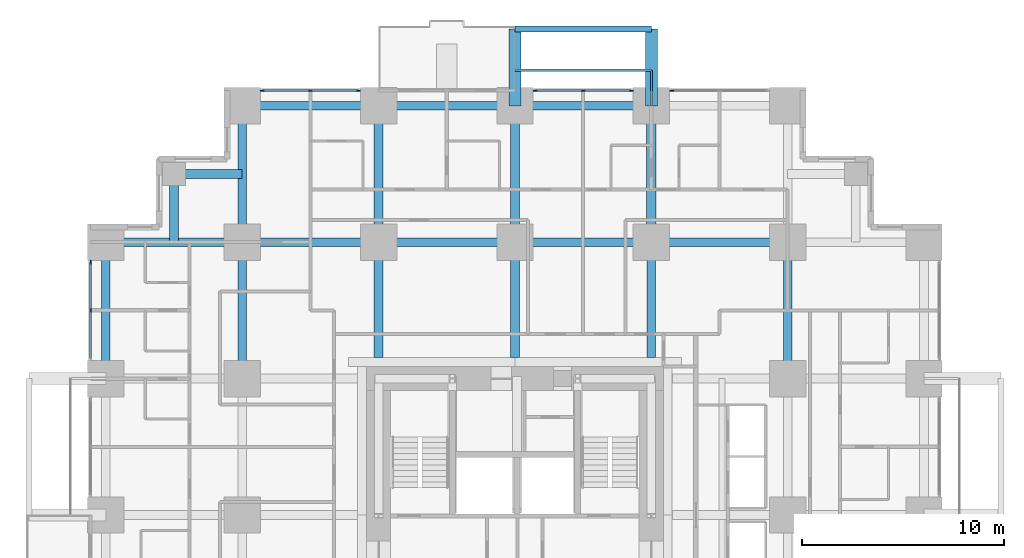
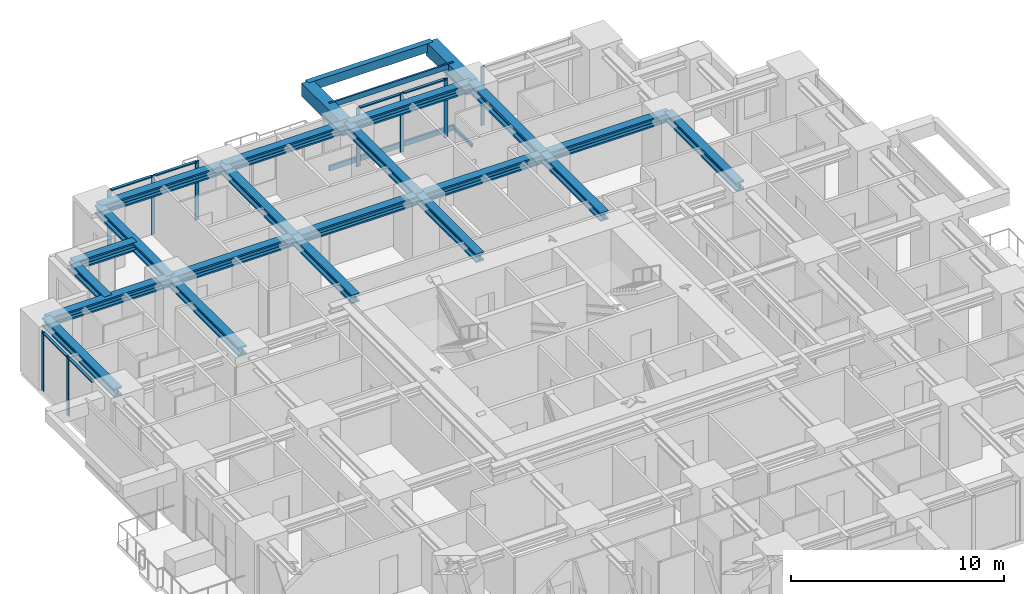
# One storey, part 5 of 14: 23 beams, 18 members, 4 elements without a shape of their own.
"""IFC4 building model written with IfcOpenShell, lengths in metres."""

import ifcopenshell
import ifcopenshell.guid

model = None  # the IFC model being written
_history = None  # IfcOwnerHistory: only IFC2X3 demands one
_inside = {}  # id of a spatial element -> (the spatial element, [elements in it])
_under = {}  # id of a project, library or spatial element -> (it, [spatial elements below it])
_declared = {}  # id of a project -> (the project, [libraries it declares])
_typed = {}  # id of a type object -> (the type object, [elements of that type])
_made_of = {}  # id of a material, layer set ... -> (it, [elements and type objects made of it])


def new_model(schema):
    """Start an empty IFC model of exactly this schema.

    Asked for "IFC4X3", IfcOpenShell would pick the latest addendum, in which some entities
    have other attributes; the version numbers below select the first issue.
    IFC2X3 requires an IfcOwnerHistory on every rooted entity: one is made here for all.
    """
    global model, _history
    if schema == "IFC4X3":
        model = ifcopenshell.file(schema_version=(4, 3, 0, 0))
    else:
        model = ifcopenshell.file(schema=schema)
    _inside.clear()
    _under.clear()
    _declared.clear()
    _typed.clear()
    _made_of.clear()
    _history = None
    if model.schema == "IFC2X3":
        org = make("IfcOrganization", Name="unknown")
        user = make(
            "IfcPersonAndOrganization",
            ThePerson=make("IfcPerson", FamilyName="unknown"),
            TheOrganization=org,
        )
        app = make(
            "IfcApplication",
            ApplicationDeveloper=org,
            Version="unknown",
            ApplicationFullName="unknown",
            ApplicationIdentifier="unknown",
        )
        _history = make(
            "IfcOwnerHistory",
            OwningUser=user,
            OwningApplication=app,
            ChangeAction="ADDED",
            CreationDate=0,
        )
    return model


def make(cls, **values):
    """One entity of the class cls with the attributes given. An attribute that is None is left unset."""
    return model.create_entity(
        cls, **{name: value for name, value in values.items() if value is not None}
    )


def rooted(cls, **values):
    """An entity with a GlobalId (a new one), such as an element, a storey or a relation."""
    return make(cls, GlobalId=ifcopenshell.guid.new(), OwnerHistory=_history, **values)


def si_unit(unit_type, name, prefix=None):
    """IfcSIUnit, for example si_unit("LENGTHUNIT", "METRE", prefix="MILLI")."""
    return make("IfcSIUnit", UnitType=unit_type, Prefix=prefix, Name=name)


def assignment(units):
    """IfcUnitAssignment: the units of a project."""
    return None if units is None else make("IfcUnitAssignment", Units=units)


def point(xyz):
    """IfcCartesianPoint."""
    return None if xyz is None else make("IfcCartesianPoint", Coordinates=xyz)


def direction(xyz):
    """IfcDirection."""
    return None if xyz is None else make("IfcDirection", DirectionRatios=xyz)


def frame(location, z_axis=None, x_axis=None):
    """IfcAxis2Placement3D, a coordinate frame: its origin and axes. An axis left out is left unset."""
    return make(
        "IfcAxis2Placement3D",
        Location=point(location),
        Axis=direction(z_axis),
        RefDirection=direction(x_axis),
    )


def frame_2d(location, x_axis=None):
    """IfcAxis2Placement2D, a coordinate frame in the plane: its origin and x axis."""
    return make(
        "IfcAxis2Placement2D", Location=point(location), RefDirection=direction(x_axis)
    )


def origin():
    """The frame at (0, 0, 0) with its axes left unset."""
    return frame((0.0, 0.0, 0.0))


def origin_2d():
    """The frame at (0, 0) in the plane with its x axis left unset."""
    return frame_2d((0.0, 0.0))


def place(relative_to, where):
    """IfcLocalPlacement: puts the frame where relative to a parent placement (None: the world)."""
    return make(
        "IfcLocalPlacement", PlacementRelTo=relative_to, RelativePlacement=where
    )


def context(
    kind, dimensions, precision=None, world=None, true_north=None, identifier=None
):
    """IfcGeometricRepresentationContext, for example the 3D "Model" context."""
    return make(
        "IfcGeometricRepresentationContext",
        ContextIdentifier=identifier,
        ContextType=kind,
        CoordinateSpaceDimension=dimensions,
        Precision=precision,
        WorldCoordinateSystem=world,
        TrueNorth=true_north,
    )


def subcontext(parent, identifier, kind, view, scale=None):
    """IfcGeometricRepresentationSubContext, for example "Body" below "Model"."""
    return make(
        "IfcGeometricRepresentationSubContext",
        ContextIdentifier=identifier,
        ContextType=kind,
        ParentContext=parent,
        TargetScale=scale,
        TargetView=view,
    )


def project(units=None, contexts=None):
    """IfcProject with its units and contexts."""
    return rooted(
        "IfcProject",
        Name="project",
        RepresentationContexts=contexts,
        UnitsInContext=assignment(units),
    )


def spatial(cls, under=None, at=None, **own):
    """A site, building, storey or space (cls), placed at a placement, below another one or the project."""
    s = rooted(cls, ObjectPlacement=at, **own)
    if under is not None:
        _under.setdefault(under.id(), (under, []))[1].append(s)
    return s


def profile(cls, at=None, kind="AREA", **sizes):
    """A parametric profile (cls). Its sizes go by their IFC names, for example OverallWidth=200.0."""
    return make(cls, ProfileType=kind, Position=at, **sizes)


def rectangle(**sizes):
    """IfcRectangleProfileDef."""
    return profile("IfcRectangleProfileDef", **sizes)


def hollow_rectangle(**sizes):
    """IfcRectangleHollowProfileDef."""
    return profile("IfcRectangleHollowProfileDef", **sizes)


def i_section(**sizes):
    """IfcIShapeProfileDef."""
    return profile("IfcIShapeProfileDef", **sizes)


def extrude(swept, where, along, depth):
    """IfcExtrudedAreaSolid: the profile swept, set in the frame where, extruded along a direction by depth."""
    return make(
        "IfcExtrudedAreaSolid",
        SweptArea=swept,
        Position=where,
        ExtrudedDirection=direction(along),
        Depth=depth,
    )


def shape(context_of_items, identifier, shape_type, items):
    """IfcShapeRepresentation: the items that make up one representation, for example the "Body"."""
    return make(
        "IfcShapeRepresentation",
        ContextOfItems=context_of_items,
        RepresentationIdentifier=identifier,
        RepresentationType=shape_type,
        Items=items,
    )


def material(Name=None, Category=None):
    """IfcMaterial."""
    return make("IfcMaterial", Name=Name, Category=Category)


def material_profile(
    of_material, cross_section, Name=None, Category=None, Priority=None
):
    """IfcMaterialProfile: a cross section and its material."""
    return make(
        "IfcMaterialProfile",
        Name=Name,
        Material=of_material,
        Profile=cross_section,
        Priority=Priority,
        Category=Category,
    )


def profile_set(profiles, Name=None, composite=None):
    """IfcMaterialProfileSet."""
    return make(
        "IfcMaterialProfileSet",
        Name=Name,
        MaterialProfiles=profiles,
        CompositeProfile=composite,
    )


def made_of(thing, what):
    """Note that an element or type object is made of a material, layer set ...; save() writes the relation."""
    if what is not None:
        _made_of.setdefault(what.id(), (what, []))[1].append(thing)
    return thing


def type_object(cls, material=None, **own):
    """A type object (cls), such as IfcWallType, which elements share."""
    return made_of(rooted(cls, **own), material)


def element(
    cls,
    number,
    at=None,
    inside=None,
    cuts=None,
    type_object=None,
    material=None,
    context=None,
    identifier="Body",
    shape_type=None,
    held_by="IfcProductDefinitionShape",
    body=None,
    shapes=None,
    **own,
):
    """One element of the class cls, such as IfcWall. Its Tag is "e" and its number.

    at: its placement. inside: the storey or other place that contains it. cuts: it is an
    opening in that element (IfcRelVoidsElement). A single representation is given by context,
    identifier, shape_type and body (its items); several are given by shapes. held_by: the class
    of the entity that holds the representations. save() writes the other relations.
    """
    e = rooted(cls, Tag="e%d" % number, ObjectPlacement=at, **own)
    if body is not None:
        shapes = [shape(context, identifier, shape_type, body)]
    if shapes is not None:
        e.Representation = make(held_by, Representations=shapes)
    if inside is not None:
        _inside.setdefault(inside.id(), (inside, []))[1].append(e)
    if cuts is not None:
        rooted(
            "IfcRelVoidsElement", RelatingBuildingElement=cuts, RelatedOpeningElement=e
        )
    if type_object is not None:
        _typed.setdefault(type_object.id(), (type_object, []))[1].append(e)
    return made_of(e, material)


def aggregate(whole, parts):
    """IfcRelAggregates: a whole, such as a stair, and the parts it consists of."""
    return rooted("IfcRelAggregates", RelatingObject=whole, RelatedObjects=parts)


def save(model, path):
    """Write the relations noted so far, then the file.

    IfcRelAggregates (storeys below a building ...), IfcRelContainedInSpatialStructure (elements
    in a storey), IfcRelDefinesByType, IfcRelAssociatesMaterial and IfcRelDeclares: one each for
    every whole, place, type object, material and project.
    """
    for whole, parts in _under.values():
        aggregate(whole, parts)
    for where, things in _inside.values():
        rooted(
            "IfcRelContainedInSpatialStructure",
            RelatedElements=things,
            RelatingStructure=where,
        )
    for kind, things in _typed.values():
        rooted("IfcRelDefinesByType", RelatedObjects=things, RelatingType=kind)
    for what, things in _made_of.values():
        rooted("IfcRelAssociatesMaterial", RelatedObjects=things, RelatingMaterial=what)
    for by, libraries in _declared.values():
        rooted("IfcRelDeclares", RelatingContext=by, RelatedDefinitions=libraries)
    model.write(path)


model = new_model("IFC4")

# Units and contexts
model_context = context("Model", 3, precision=1e-05, world=origin(), true_north=direction((0.0, 1.0)))
body_context = subcontext(model_context, "Body", "Model", "MODEL_VIEW")
ifc_project = project(units=[si_unit("LENGTHUNIT", "METRE"), si_unit("AREAUNIT", "SQUARE_METRE"), si_unit("VOLUMEUNIT", "CUBIC_METRE"), si_unit("PLANEANGLEUNIT", "RADIAN"), si_unit("MASSUNIT", "GRAM", prefix="KILO")], contexts=[model_context])

# Site, building, storey
site_placement = place(None, origin())
site = spatial("IfcSite", under=ifc_project, at=site_placement, CompositionType="ELEMENT")
building_placement = place(site_placement, origin())
building = spatial("IfcBuilding", under=site, at=building_placement, Name="Nyansa Garden Tower", CompositionType="ELEMENT")
storey_placement = place(building_placement, frame((0.0, 0.0, 68.39990234375)))
storey = spatial("IfcBuildingStorey", under=building, at=storey_placement, Name="L18", CompositionType="ELEMENT", Elevation=68.39990234375)

# Beams
ifc_material_1 = material(Name="Concrete C70/85", Category="concrete")
ifc_material_profile_1 = material_profile(ifc_material_1, rectangle(XDim=0.60009765625, YDim=0.75, at=origin_2d()), Name="RC 600x750")
ifc_profile_set_1 = profile_set([ifc_material_profile_1], Name="Concrete C70/85")
beam_type_1 = type_object("IfcBeamType", Name="Balcony cantilever beam CB1 RC 600x750", PredefinedType="BEAM", material=ifc_profile_set_1)
for number, where, z_axis, x_axis, name in (
    (1, (20.25, 40.5, 2.985107421875), (0.0, 1.0, 0.0), (-1.0, 0.0, 0.0), "Balcony cantilever beam L19"),
    (2, (27.0, 40.5, 2.985107421875), (0.0, 1.0, 0.0), (-1.0, 0.0, 0.0), "Balcony cantilever beam L19"),
):
    element("IfcBeam", number, at=place(storey_placement, frame(where, z_axis=z_axis, x_axis=x_axis)), inside=storey, type_object=beam_type_1, Name=name, PredefinedType="BEAM", context=body_context, shape_type="SweptSolid", body=[
        extrude(rectangle(XDim=0.60009765625, YDim=0.75, at=origin_2d()), origin(), (0.0, 0.0, 1.0), 3.800048828125),
    ])
ifc_material_2 = material(Name="Concrete C70/85", Category="concrete")
ifc_material_profile_2 = material_profile(ifc_material_2, rectangle(XDim=0.300048828125, YDim=0.5, at=origin_2d()), Name="RC 300x500")
ifc_profile_set_2 = profile_set([ifc_material_profile_2], Name="Concrete C70/85")
beam_type_2 = type_object("IfcBeamType", Name="Balcony edge beam BE1 RC 300x500", PredefinedType="BEAM", material=ifc_profile_set_2)
beam_1_placement = place(storey_placement, frame((20.25, 44.300048828125, 3.110107421875), z_axis=(1.0, 0.0, 0.0), x_axis=(0.0, 1.0, 0.0)))
element("IfcBeam", 3, at=beam_1_placement, inside=storey, type_object=beam_type_2, Name="Balcony edge beam L19", PredefinedType="BEAM", context=body_context, shape_type="SweptSolid", body=[
    extrude(rectangle(XDim=0.300048828125, YDim=0.5, at=origin_2d()), origin(), (0.0, 0.0, 1.0), 6.75),
])

# Curtain wall, members
ifc_material_3 = material(Name="Black anodised aluminium, dark tinted double glazing", Category="aluminium")
curtain_wall_type = type_object("IfcCurtainWallType", Name="Inner skin curtain wall ISW-A", PredefinedType="USERDEFINED", material=ifc_material_3)
curtain_wall_1_placement = place(storey_placement, origin())
curtain_wall_1 = element("IfcCurtainWall", 4, at=curtain_wall_1_placement, inside=storey, type_object=curtain_wall_type, Name="Inner skin curtain wall L18 N", ObjectType="UNITISED CURTAIN WALL", PredefinedType="USERDEFINED")
ifc_material_4 = material(Name="Black anodised aluminium", Category="aluminium")
ifc_material_profile_3 = material_profile(ifc_material_4, rectangle(XDim=0.06494140625, YDim=0.199951171875, at=origin_2d()), Name="Mullion 200x65")
ifc_profile_set_3 = profile_set([ifc_material_profile_3], Name="Black anodised aluminium")
member_type_1 = type_object("IfcMemberType", Name="Mullion ISW-A 200x65", PredefinedType="MULLION", material=ifc_profile_set_3)
member_1_placement = place(storey_placement, frame((12.5, 41.25, 0.0), z_axis=(0.0, 0.0, 1.0), x_axis=(0.0, -1.0, 0.0)))
member_1 = element("IfcMember", 5, at=member_1_placement, type_object=member_type_1, Name="ISW-A mullion 1", PredefinedType="MULLION", context=body_context, shape_type="SweptSolid", body=[
    extrude(rectangle(XDim=0.06494140625, YDim=0.199951171875, at=origin_2d()), origin(), (0.0, 0.0, 1.0), 3.375),
])
member_2_placement = place(storey_placement, frame((10.125, 41.25, 0.0), z_axis=(0.0, 0.0, 1.0), x_axis=(0.0, -1.0, 0.0)))
member_2 = element("IfcMember", 6, at=member_2_placement, type_object=member_type_1, Name="ISW-A mullion 2", PredefinedType="MULLION", context=body_context, shape_type="SweptSolid", body=[
    extrude(rectangle(XDim=0.06494140625, YDim=0.199951171875, at=origin_2d()), origin(), (0.0, 0.0, 1.0), 3.375),
])
member_3_placement = place(storey_placement, frame((7.75, 41.25, 0.0), z_axis=(0.0, 0.0, 1.0), x_axis=(0.0, -1.0, 0.0)))
member_3 = element("IfcMember", 7, at=member_3_placement, type_object=member_type_1, Name="ISW-A mullion 3", PredefinedType="MULLION", context=body_context, shape_type="SweptSolid", body=[
    extrude(rectangle(XDim=0.06494140625, YDim=0.199951171875, at=origin_2d()), origin(), (0.0, 0.0, 1.0), 3.375),
])

# Curtain wall, member
curtain_wall_2_placement = place(storey_placement, origin())
curtain_wall_2 = element("IfcCurtainWall", 8, at=curtain_wall_2_placement, inside=storey, type_object=curtain_wall_type, Name="Inner skin curtain wall L18 N", ObjectType="UNITISED CURTAIN WALL", PredefinedType="USERDEFINED")
member_4_placement = place(storey_placement, frame((28.0, 41.25, 0.0), z_axis=(0.0, 0.0, 1.0), x_axis=(0.0, -1.0, 0.0)))
member_4 = element("IfcMember", 9, at=member_4_placement, type_object=member_type_1, Name="ISW-A mullion 3", PredefinedType="MULLION", context=body_context, shape_type="SweptSolid", body=[
    extrude(rectangle(XDim=0.06494140625, YDim=0.199951171875, at=origin_2d()), origin(), (0.0, 0.0, 1.0), 3.375),
])
aggregate(curtain_wall_2, [member_4])

# Curtain wall, members
curtain_wall_3_placement = place(storey_placement, origin())
curtain_wall_3 = element("IfcCurtainWall", 10, at=curtain_wall_3_placement, inside=storey, type_object=curtain_wall_type, Name="Inner skin curtain wall L18 N", ObjectType="UNITISED CURTAIN WALL", PredefinedType="USERDEFINED")
member_5_placement = place(storey_placement, frame((26.0, 41.25, 0.0), z_axis=(0.0, 0.0, 1.0), x_axis=(0.0, -1.0, 0.0)))
member_5 = element("IfcMember", 11, at=member_5_placement, type_object=member_type_1, Name="ISW-A mullion 1", PredefinedType="MULLION", context=body_context, shape_type="SweptSolid", body=[
    extrude(rectangle(XDim=0.06494140625, YDim=0.199951171875, at=origin_2d()), origin(), (0.0, 0.0, 1.0), 3.375),
])
member_6_placement = place(storey_placement, frame((23.625, 41.25, 0.0), z_axis=(0.0, 0.0, 1.0), x_axis=(0.0, -1.0, 0.0)))
member_6 = element("IfcMember", 12, at=member_6_placement, type_object=member_type_1, Name="ISW-A mullion 2", PredefinedType="MULLION", context=body_context, shape_type="SweptSolid", body=[
    extrude(rectangle(XDim=0.06494140625, YDim=0.199951171875, at=origin_2d()), origin(), (0.0, 0.0, 1.0), 3.375),
])
member_7_placement = place(storey_placement, frame((21.25, 41.25, 0.0), z_axis=(0.0, 0.0, 1.0), x_axis=(0.0, -1.0, 0.0)))
member_7 = element("IfcMember", 13, at=member_7_placement, type_object=member_type_1, Name="ISW-A mullion 3", PredefinedType="MULLION", context=body_context, shape_type="SweptSolid", body=[
    extrude(rectangle(XDim=0.06494140625, YDim=0.199951171875, at=origin_2d()), origin(), (0.0, 0.0, 1.0), 3.375),
])

curtain_wall_4_placement = place(storey_placement, origin())
curtain_wall_4 = element("IfcCurtainWall", 14, at=curtain_wall_4_placement, inside=storey, type_object=curtain_wall_type, Name="Inner skin curtain wall L18 W", ObjectType="UNITISED CURTAIN WALL", PredefinedType="USERDEFINED")
member_8_placement = place(storey_placement, frame((-0.75, 32.75, 0.0), z_axis=(0.0, 0.0, 1.0), x_axis=(1.0, 0.0, 0.0)))
member_8 = element("IfcMember", 15, at=member_8_placement, type_object=member_type_1, Name="ISW-A mullion 1", PredefinedType="MULLION", context=body_context, shape_type="SweptSolid", body=[
    extrude(rectangle(XDim=0.06494140625, YDim=0.199951171875, at=origin_2d()), origin(), (0.0, 0.0, 1.0), 3.375),
])
member_9_placement = place(storey_placement, frame((-0.75, 30.375, 0.0), z_axis=(0.0, 0.0, 1.0), x_axis=(1.0, 0.0, 0.0)))
member_9 = element("IfcMember", 16, at=member_9_placement, type_object=member_type_1, Name="ISW-A mullion 2", PredefinedType="MULLION", context=body_context, shape_type="SweptSolid", body=[
    extrude(rectangle(XDim=0.06494140625, YDim=0.199951171875, at=origin_2d()), origin(), (0.0, 0.0, 1.0), 3.375),
])

# Members
ifc_material_5 = material(Name="Steel S355, black powder coated", Category="steel")
ifc_material_profile_4 = material_profile(ifc_material_5, hollow_rectangle(XDim=0.10009765625, YDim=0.199951171875, WallThickness=0.008056640625, at=origin_2d()), Name="RHS 200x100x8")
ifc_profile_set_4 = profile_set([ifc_material_profile_4], Name="Steel S355, black powder coated")
member_type_2 = type_object("IfcMemberType", Name="Outer skin bracket arm RHS 200x100x8", PredefinedType="USERDEFINED", material=ifc_profile_set_4)
member_10_placement = place(storey_placement, frame((27.0, 40.5, -0.375), z_axis=(0.0, 1.0, 0.0), x_axis=(-1.0, 0.0, 0.0)))
element("IfcMember", 17, at=member_10_placement, inside=storey, type_object=member_type_2, Name="Outer skin bracket arm", ObjectType="OUTER SKIN BRACKET", PredefinedType="USERDEFINED", context=body_context, shape_type="SweptSolid", body=[
    extrude(hollow_rectangle(XDim=0.10009765625, YDim=0.199951171875, WallThickness=0.008056640625, at=origin_2d()), origin(), (0.0, 0.0, 1.0), 1.75),
])
ifc_material_6 = material(Name="Steel S355, black powder coated", Category="steel")
ifc_material_profile_5 = material_profile(ifc_material_6, hollow_rectangle(XDim=0.10009765625, YDim=0.300048828125, WallThickness=0.010009765625, at=origin_2d()), Name="RHS 300x100x10")
ifc_profile_set_5 = profile_set([ifc_material_profile_5], Name="Steel S355, black powder coated")
member_type_3 = type_object("IfcMemberType", Name="Outer skin rail RHS 300x100x10", PredefinedType="USERDEFINED", material=ifc_profile_set_5)
for number, where, z_axis, x_axis, name in (
    (18, (20.25, 42.25, -0.375), (1.0, 0.0, 0.0), (0.0, 1.0, 0.0), "Outer skin rail L18"),
    (19, (20.25, 42.25, 3.22509765625), (1.0, 0.0, 0.0), (0.0, 1.0, 0.0), "Outer skin rail L18 head"),
):
    element("IfcMember", number, at=place(storey_placement, frame(where, z_axis=z_axis, x_axis=x_axis)), inside=storey, type_object=member_type_3, Name=name, ObjectType="OUTER SKIN RAIL", PredefinedType="USERDEFINED", context=body_context, shape_type="SweptSolid", body=[
        extrude(hollow_rectangle(XDim=0.10009765625, YDim=0.300048828125, WallThickness=0.010009765625, at=origin_2d()), origin(), (0.0, 0.0, 1.0), 6.75),
    ])

# Beams
ifc_material_7 = material(Name="Steel S355", Category="steel")
ifc_material_profile_6 = material_profile(ifc_material_7, i_section(OverallWidth=0.4541015625, OverallDepth=0.569091796875, WebThickness=0.077880859375, FlangeThickness=0.125, FilletRadius=0.014892578125, at=origin_2d()), Name="HD 400x1086")
ifc_profile_set_6 = profile_set([ifc_material_profile_6], Name="Steel S355")
beam_type_3 = type_object("IfcBeamType", Name="Steel beam SBA2-1086 HD 400x1086", PredefinedType="BEAM", material=ifc_profile_set_6)
beam_2_placement = place(storey_placement, frame((27.0, 33.75, 3.090576171875), z_axis=(0.0, 1.0, 0.0), x_axis=(-1.0, 0.0, 0.0)))
element("IfcBeam", 20, at=beam_2_placement, inside=storey, type_object=beam_type_3, Name="Steel beam 6/J-6/K L19", PredefinedType="BEAM", context=body_context, shape_type="SweptSolid", body=[
    extrude(i_section(OverallWidth=0.4541015625, OverallDepth=0.569091796875, WebThickness=0.077880859375, FlangeThickness=0.125, FilletRadius=0.014892578125, at=origin_2d()), origin(), (0.0, 0.0, 1.0), 6.75),
])
ifc_material_8 = material(Name="Steel S355", Category="steel")
ifc_material_profile_7 = material_profile(ifc_material_8, i_section(OverallWidth=0.431884765625, OverallDepth=0.498046875, WebThickness=0.0556640625, FlangeThickness=0.0888671875, FilletRadius=0.014892578125, at=origin_2d()), Name="HD 400x744")
ifc_profile_set_7 = profile_set([ifc_material_profile_7], Name="Steel S355")
beam_type_4 = type_object("IfcBeamType", Name="Steel beam SBA2-744 HD 400x744", PredefinedType="BEAM", material=ifc_profile_set_7)
for number, where, z_axis, x_axis, name in (
    (21, (0.0, 33.75, 3.1259765625), (1.0, 0.0, 0.0), (0.0, 1.0, 0.0), "Steel beam 2/J-3/J L19"),
    (22, (6.75, 27.0, 3.1259765625), (0.0, 1.0, 0.0), (-1.0, 0.0, 0.0), "Steel beam 3/H-3/J L19"),
    (23, (6.75, 33.75, 3.1259765625), (0.0, 1.0, 0.0), (-1.0, 0.0, 0.0), "Steel beam 3/J-3/K L19"),
    (24, (6.75, 33.75, 3.1259765625), (1.0, 0.0, 0.0), (0.0, 1.0, 0.0), "Steel beam 3/J-4/J L19"),
):
    element("IfcBeam", number, at=place(storey_placement, frame(where, z_axis=z_axis, x_axis=x_axis)), inside=storey, type_object=beam_type_4, Name=name, PredefinedType="BEAM", context=body_context, shape_type="SweptSolid", body=[
        extrude(i_section(OverallWidth=0.431884765625, OverallDepth=0.498046875, WebThickness=0.0556640625, FlangeThickness=0.0888671875, FilletRadius=0.014892578125, at=origin_2d()), origin(), (0.0, 0.0, 1.0), 6.75),
    ])
beam_3_placement = place(storey_placement, frame((13.5, 28.050048828125, 3.1259765625), z_axis=(0.0, 1.0, 0.0), x_axis=(-1.0, 0.0, 0.0)))
element("IfcBeam", 25, at=beam_3_placement, inside=storey, type_object=beam_type_4, Name="Steel beam 4/28.050-4/J L19", PredefinedType="BEAM", context=body_context, shape_type="SweptSolid", body=[
    extrude(i_section(OverallWidth=0.431884765625, OverallDepth=0.498046875, WebThickness=0.0556640625, FlangeThickness=0.0888671875, FilletRadius=0.014892578125, at=origin_2d()), origin(), (0.0, 0.0, 1.0), 5.699951171875),
])
for number, where, z_axis, x_axis, name in (
    (26, (13.5, 33.75, 3.1259765625), (0.0, 1.0, 0.0), (-1.0, 0.0, 0.0), "Steel beam 4/J-4/K L19"),
    (27, (13.5, 33.75, 3.1259765625), (1.0, 0.0, 0.0), (0.0, 1.0, 0.0), "Steel beam 4/J-5/J L19"),
):
    element("IfcBeam", number, at=place(storey_placement, frame(where, z_axis=z_axis, x_axis=x_axis)), inside=storey, type_object=beam_type_4, Name=name, PredefinedType="BEAM", context=body_context, shape_type="SweptSolid", body=[
        extrude(i_section(OverallWidth=0.431884765625, OverallDepth=0.498046875, WebThickness=0.0556640625, FlangeThickness=0.0888671875, FilletRadius=0.014892578125, at=origin_2d()), origin(), (0.0, 0.0, 1.0), 6.75),
    ])
beam_4_placement = place(storey_placement, frame((20.25, 28.050048828125, 3.1259765625), z_axis=(0.0, 1.0, 0.0), x_axis=(-1.0, 0.0, 0.0)))
element("IfcBeam", 28, at=beam_4_placement, inside=storey, type_object=beam_type_4, Name="Steel beam 5/28.050-5/J L19", PredefinedType="BEAM", context=body_context, shape_type="SweptSolid", body=[
    extrude(i_section(OverallWidth=0.431884765625, OverallDepth=0.498046875, WebThickness=0.0556640625, FlangeThickness=0.0888671875, FilletRadius=0.014892578125, at=origin_2d()), origin(), (0.0, 0.0, 1.0), 5.699951171875),
])
for number, where, z_axis, x_axis, name in (
    (29, (20.25, 33.75, 3.1259765625), (0.0, 1.0, 0.0), (-1.0, 0.0, 0.0), "Steel beam 5/J-5/K L19"),
    (30, (20.25, 33.75, 3.1259765625), (1.0, 0.0, 0.0), (0.0, 1.0, 0.0), "Steel beam 5/J-6/J L19"),
):
    element("IfcBeam", number, at=place(storey_placement, frame(where, z_axis=z_axis, x_axis=x_axis)), inside=storey, type_object=beam_type_4, Name=name, PredefinedType="BEAM", context=body_context, shape_type="SweptSolid", body=[
        extrude(i_section(OverallWidth=0.431884765625, OverallDepth=0.498046875, WebThickness=0.0556640625, FlangeThickness=0.0888671875, FilletRadius=0.014892578125, at=origin_2d()), origin(), (0.0, 0.0, 1.0), 6.75),
    ])
beam_5_placement = place(storey_placement, frame((27.0, 28.050048828125, 3.1259765625), z_axis=(0.0, 1.0, 0.0), x_axis=(-1.0, 0.0, 0.0)))
element("IfcBeam", 31, at=beam_5_placement, inside=storey, type_object=beam_type_4, Name="Steel beam 6/28.050-6/J L19", PredefinedType="BEAM", context=body_context, shape_type="SweptSolid", body=[
    extrude(i_section(OverallWidth=0.431884765625, OverallDepth=0.498046875, WebThickness=0.0556640625, FlangeThickness=0.0888671875, FilletRadius=0.014892578125, at=origin_2d()), origin(), (0.0, 0.0, 1.0), 5.699951171875),
])
for number, where, z_axis, x_axis, name in (
    (32, (27.0, 33.75, 3.1259765625), (1.0, 0.0, 0.0), (0.0, 1.0, 0.0), "Steel beam 6/J-7/J L19"),
    (33, (33.75, 27.0, 3.1259765625), (0.0, 1.0, 0.0), (-1.0, 0.0, 0.0), "Steel beam 7/H-7/J L19"),
):
    element("IfcBeam", number, at=place(storey_placement, frame(where, z_axis=z_axis, x_axis=x_axis)), inside=storey, type_object=beam_type_4, Name=name, PredefinedType="BEAM", context=body_context, shape_type="SweptSolid", body=[
        extrude(i_section(OverallWidth=0.431884765625, OverallDepth=0.498046875, WebThickness=0.0556640625, FlangeThickness=0.0888671875, FilletRadius=0.014892578125, at=origin_2d()), origin(), (0.0, 0.0, 1.0), 6.75),
    ])
ifc_material_9 = material(Name="Steel S355", Category="steel")
ifc_material_profile_8 = material_profile(ifc_material_9, i_section(OverallWidth=0.431884765625, OverallDepth=0.498046875, WebThickness=0.0556640625, FlangeThickness=0.0888671875, FilletRadius=0.014892578125, at=origin_2d()), Name="HD 400x744")
ifc_profile_set_8 = profile_set([ifc_material_profile_8], Name="Steel S355")
beam_type_5 = type_object("IfcBeamType", Name="Steel beam SEBA-744 HD 400x744", PredefinedType="BEAM", material=ifc_profile_set_8)
for number, where, z_axis, x_axis, name in (
    (34, (0.0, 27.0, 3.1259765625), (0.0, 1.0, 0.0), (-1.0, 0.0, 0.0), "Steel edge beam 2/H-2/J L19"),
    (35, (6.75, 40.5, 3.1259765625), (1.0, 0.0, 0.0), (0.0, 1.0, 0.0), "Steel edge beam 3/K-4/K L19"),
    (36, (13.5, 40.5, 3.1259765625), (1.0, 0.0, 0.0), (0.0, 1.0, 0.0), "Steel edge beam 4/K-5/K L19"),
    (37, (20.25, 40.5, 3.1259765625), (1.0, 0.0, 0.0), (0.0, 1.0, 0.0), "Steel edge beam 5/K-6/K L19"),
):
    element("IfcBeam", number, at=place(storey_placement, frame(where, z_axis=z_axis, x_axis=x_axis)), inside=storey, type_object=beam_type_5, Name=name, PredefinedType="BEAM", context=body_context, shape_type="SweptSolid", body=[
        extrude(i_section(OverallWidth=0.431884765625, OverallDepth=0.498046875, WebThickness=0.0556640625, FlangeThickness=0.0888671875, FilletRadius=0.014892578125, at=origin_2d()), origin(), (0.0, 0.0, 1.0), 6.75),
    ])
ifc_material_10 = material(Name="Steel S355", Category="steel")
ifc_material_profile_9 = material_profile(ifc_material_10, i_section(OverallWidth=0.431884765625, OverallDepth=0.498046875, WebThickness=0.0556640625, FlangeThickness=0.0888671875, FilletRadius=0.014892578125, at=origin_2d()), Name="HD 400x744")
ifc_profile_set_9 = profile_set([ifc_material_profile_9], Name="Steel S355")
beam_type_6 = type_object("IfcBeamType", Name="Steel beam SSB1-744 HD 400x744", PredefinedType="BEAM", material=ifc_profile_set_9)
for number, where, z_axis, x_axis, name in (
    (38, (3.375, 37.125, 3.1259765625), (0.0, -1.0, 0.0), (1.0, 0.0, 0.0), "Steel step beam 3.375/37.125 L19"),
    (39, (3.375, 37.125, 3.1259765625), (1.0, 0.0, 0.0), (0.0, 1.0, 0.0), "Steel step beam 3.375/37.125 L19"),
):
    element("IfcBeam", number, at=place(storey_placement, frame(where, z_axis=z_axis, x_axis=x_axis)), inside=storey, type_object=beam_type_6, Name=name, PredefinedType="BEAM", context=body_context, shape_type="SweptSolid", body=[
        extrude(i_section(OverallWidth=0.431884765625, OverallDepth=0.498046875, WebThickness=0.0556640625, FlangeThickness=0.0888671875, FilletRadius=0.014892578125, at=origin_2d()), origin(), (0.0, 0.0, 1.0), 3.375),
    ])

# Member
ifc_material_11 = material(Name="Black anodised aluminium", Category="aluminium")
ifc_material_profile_10 = material_profile(ifc_material_11, rectangle(XDim=0.14990234375, YDim=0.06494140625, at=origin_2d()), Name="Transom 150x65")
ifc_profile_set_10 = profile_set([ifc_material_profile_10], Name="Black anodised aluminium")
member_type_4 = type_object("IfcMemberType", Name="Transom ISW-A 150x65", PredefinedType="USERDEFINED", material=ifc_profile_set_10)
member_11_placement = place(storey_placement, frame((12.467529296875, 41.25, 3.342529296875), z_axis=(-1.0, 0.0, 0.0), x_axis=(0.0, -1.0, 0.0)))
member_11 = element("IfcMember", 40, at=member_11_placement, type_object=member_type_4, Name="ISW-A transom 1", ObjectType="TRANSOM", PredefinedType="USERDEFINED", context=body_context, shape_type="SweptSolid", body=[
    extrude(rectangle(XDim=0.14990234375, YDim=0.06494140625, at=origin_2d()), origin(), (0.0, 0.0, 1.0), 2.31005859375),
])

member_12_placement = place(storey_placement, frame((10.092529296875, 41.25, 3.342529296875), z_axis=(-1.0, 0.0, 0.0), x_axis=(0.0, -1.0, 0.0)))
member_12 = element("IfcMember", 41, at=member_12_placement, type_object=member_type_4, Name="ISW-A transom 2", ObjectType="TRANSOM", PredefinedType="USERDEFINED", context=body_context, shape_type="SweptSolid", body=[
    extrude(rectangle(XDim=0.14990234375, YDim=0.06494140625, at=origin_2d()), origin(), (0.0, 0.0, 1.0), 2.31005859375),
])

aggregate(curtain_wall_1, [member_1, member_2, member_3, member_11, member_12])

member_13_placement = place(storey_placement, frame((25.967529296875, 41.25, 3.342529296875), z_axis=(-1.0, 0.0, 0.0), x_axis=(0.0, -1.0, 0.0)))
member_13 = element("IfcMember", 42, at=member_13_placement, type_object=member_type_4, Name="ISW-A transom 1", ObjectType="TRANSOM", PredefinedType="USERDEFINED", context=body_context, shape_type="SweptSolid", body=[
    extrude(rectangle(XDim=0.14990234375, YDim=0.06494140625, at=origin_2d()), origin(), (0.0, 0.0, 1.0), 2.31005859375),
])

member_14_placement = place(storey_placement, frame((23.592529296875, 41.25, 3.342529296875), z_axis=(-1.0, 0.0, 0.0), x_axis=(0.0, -1.0, 0.0)))
member_14 = element("IfcMember", 43, at=member_14_placement, type_object=member_type_4, Name="ISW-A transom 2", ObjectType="TRANSOM", PredefinedType="USERDEFINED", context=body_context, shape_type="SweptSolid", body=[
    extrude(rectangle(XDim=0.14990234375, YDim=0.06494140625, at=origin_2d()), origin(), (0.0, 0.0, 1.0), 2.31005859375),
])

aggregate(curtain_wall_3, [member_5, member_6, member_7, member_13, member_14])

member_15_placement = place(storey_placement, frame((-0.75, 32.717529296875, 3.342529296875), z_axis=(0.0, -1.0, 0.0), x_axis=(1.0, 0.0, 0.0)))
member_15 = element("IfcMember", 44, at=member_15_placement, type_object=member_type_4, Name="ISW-A transom 1", ObjectType="TRANSOM", PredefinedType="USERDEFINED", context=body_context, shape_type="SweptSolid", body=[
    extrude(rectangle(XDim=0.14990234375, YDim=0.06494140625, at=origin_2d()), origin(), (0.0, 0.0, 1.0), 2.31005859375),
])

member_16_placement = place(storey_placement, frame((-0.75, 30.342529296875, 3.342529296875), z_axis=(0.0, -1.0, 0.0), x_axis=(1.0, 0.0, 0.0)))
member_16 = element("IfcMember", 45, at=member_16_placement, type_object=member_type_4, Name="ISW-A transom 2", ObjectType="TRANSOM", PredefinedType="USERDEFINED", context=body_context, shape_type="SweptSolid", body=[
    extrude(rectangle(XDim=0.14990234375, YDim=0.06494140625, at=origin_2d()), origin(), (0.0, 0.0, 1.0), 2.31005859375),
])

aggregate(curtain_wall_4, [member_8, member_9, member_15, member_16])

save(model, "model.ifc")
